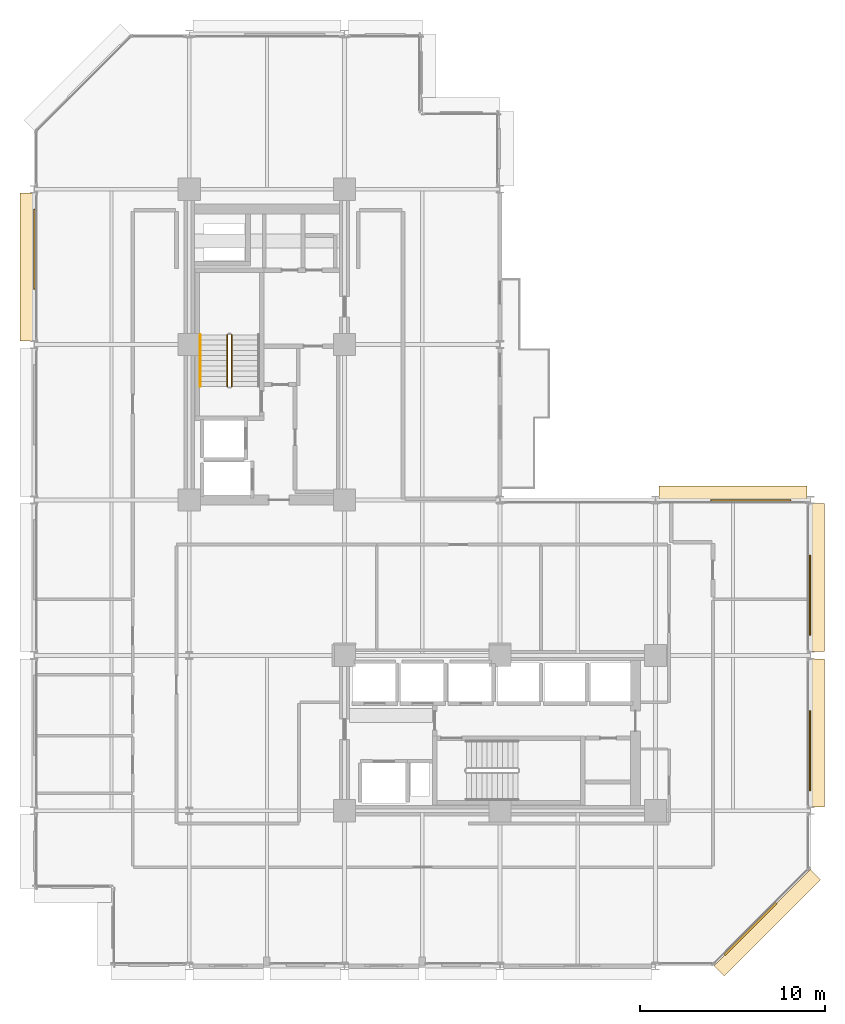
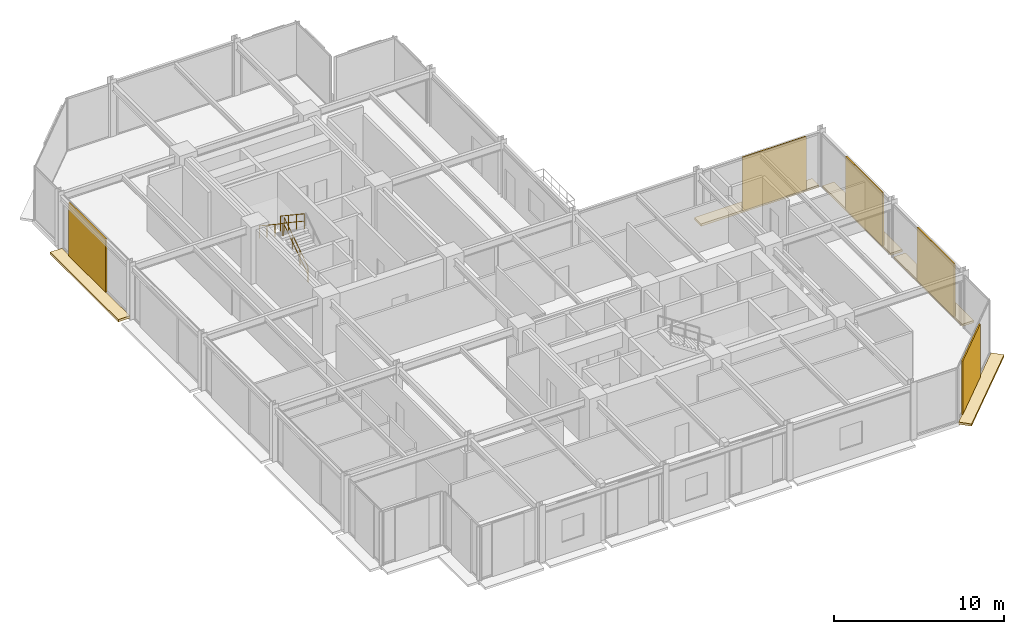
# One storey, part 29 of 30: 10 coverings, 3 railings.
"""IFC4 building model written with IfcOpenShell, lengths in metres."""

from ifc_helpers import new_model, si_unit, direction, frame, origin, origin_2d, place, context, subcontext, project, spatial, polyline, rectangle, circle, outline, extrude, material, layer, layer_set, type_object, element, save


model = new_model("IFC4")

# Units and contexts
model_context = context("Model", 3, precision=1e-05, world=origin(), true_north=direction((0.0, 1.0)))
body_context = subcontext(model_context, "Body", "Model", "MODEL_VIEW")
ifc_project = project(units=[si_unit("LENGTHUNIT", "METRE"), si_unit("AREAUNIT", "SQUARE_METRE"), si_unit("VOLUMEUNIT", "CUBIC_METRE"), si_unit("PLANEANGLEUNIT", "RADIAN"), si_unit("MASSUNIT", "GRAM", prefix="KILO")], contexts=[model_context])

# Site, building, storey
site_placement = place(None, origin())
site = spatial("IfcSite", under=ifc_project, at=site_placement, CompositionType="ELEMENT")
building_placement = place(site_placement, origin())
building = spatial("IfcBuilding", under=site, at=building_placement, Name="Nerrivon Quay Data Exchange", CompositionType="ELEMENT")
storey_placement = place(building_placement, frame((0.0, 0.0, 141.800048828125)))
storey = spatial("IfcBuildingStorey", under=building, at=storey_placement, Name="L33", CompositionType="ELEMENT", Elevation=141.800048828125)

# Coverings
ifc_material_1 = material(Name="Architectural terracotta ceramic", Category="masonry")
ifc_layer_1 = layer(ifc_material_1, 0.159912109375)
ifc_layer_set_1 = layer_set([ifc_layer_1], Name="Architectural terracotta ceramic")
covering_type_1 = type_object("IfcCoveringType", Name="COV-BLD-TERR", PredefinedType="CLADDING", material=ifc_layer_set_1)
covering_1_placement = place(storey_placement, frame((0.0, 0.0, -0.16015625)))
element("IfcCovering", 1, at=covering_1_placement, inside=storey, type_object=covering_type_1, Name="L33 Horizontal Terracotta SOLAR SCREEN Blade", PredefinedType="CLADDING", context=body_context, shape_type="SweptSolid", body=[
    extrude(outline(polyline([(41.9716796875, 5.228271484375), (36.771728515625, 0.0283203125), (37.330322265625, -0.5302734375), (42.5302734375, 4.669677734375), (41.9716796875, 5.228271484375)])), origin(), (0.0, 0.0, 1.0), 0.16015625),
])
covering_2_placement = place(storey_placement, frame((0.0, 0.0, -0.16015625)))
element("IfcCovering", 2, at=covering_2_placement, inside=storey, type_object=covering_type_1, Name="L33 Horizontal Terracotta SOLAR SCREEN Blade", PredefinedType="CLADDING", context=body_context, shape_type="SweptSolid", body=[
    extrude(outline(polyline([(0.0400390625, 33.800048828125), (0.0400390625, 41.800048828125), (-0.75, 41.800048828125), (-0.75, 33.800048828125), (0.0400390625, 33.800048828125)])), origin(), (0.0, 0.0, 1.0), 0.16015625),
])
covering_3_placement = place(storey_placement, frame((0.0, 0.0, -0.16015625)))
element("IfcCovering", 3, at=covering_3_placement, inside=storey, type_object=covering_type_1, Name="L33 Horizontal Terracotta SOLAR SCREEN Blade", PredefinedType="CLADDING", context=body_context, shape_type="SweptSolid", body=[
    extrude(outline(polyline([(33.800048828125, 25.159912109375), (41.800048828125, 25.159912109375), (41.800048828125, 25.949951171875), (33.800048828125, 25.949951171875), (33.800048828125, 25.159912109375)])), origin(), (0.0, 0.0, 1.0), 0.16015625),
])
covering_4_placement = place(storey_placement, frame((0.0, 0.0, -0.16015625)))
element("IfcCovering", 4, at=covering_4_placement, inside=storey, type_object=covering_type_1, Name="L33 Horizontal Terracotta SOLAR SCREEN Blade", PredefinedType="CLADDING", context=body_context, shape_type="SweptSolid", body=[
    extrude(outline(polyline([(41.9599609375, 25.0), (41.9599609375, 17.0), (42.75, 17.0), (42.75, 25.0), (41.9599609375, 25.0)])), origin(), (0.0, 0.0, 1.0), 0.16015625),
])
covering_5_placement = place(storey_placement, frame((0.0, 0.0, -0.16015625)))
element("IfcCovering", 5, at=covering_5_placement, inside=storey, type_object=covering_type_1, Name="L33 Horizontal Terracotta SOLAR SCREEN Blade", PredefinedType="CLADDING", context=body_context, shape_type="SweptSolid", body=[
    extrude(outline(polyline([(41.9599609375, 16.60009765625), (41.9599609375, 8.60009765625), (42.75, 8.60009765625), (42.75, 16.60009765625), (41.9599609375, 16.60009765625)])), origin(), (0.0, 0.0, 1.0), 0.16015625),
])
ifc_layer_2 = layer(ifc_material_1, 0.090087890625)
ifc_layer_set_2 = layer_set([ifc_layer_2], Name="Architectural terracotta ceramic")
covering_type_2 = type_object("IfcCoveringType", Name="COV-SCR-TERR", PredefinedType="CLADDING", material=ifc_layer_set_2)
covering_6_placement = place(storey_placement, frame((38.744140625, 2.0078125, 0.0), z_axis=(0.0, 0.0, 1.0), x_axis=(-0.707106781187, -0.707106781187, 0.0)))
element("IfcCovering", 6, at=covering_6_placement, inside=storey, type_object=covering_type_2, Name="L33 Perforated Terracotta SOLAR SCREEN Cassette", PredefinedType="CLADDING", context=body_context, shape_type="SweptSolid", body=[
    extrude(rectangle(XDim=3.970947265625, YDim=0.090087890625, at=origin_2d()), origin(), (0.0, 0.0, 1.0), 3.824951171875),
])
for number, where, z_axis, x_axis, name in (
    (7, (0.044921875, 38.760009765625, 0.0), (0.0, 0.0, 1.0), (0.0, 1.0, 0.0), "L33 Perforated Terracotta SOLAR SCREEN Cassette"),
    (8, (38.760009765625, 25.155029296875, 0.0), (0.0, 0.0, 1.0), (1.0, 0.0, 0.0), "L33 Perforated Terracotta SOLAR SCREEN Cassette"),
    (9, (41.955078125, 20.0400390625, 0.0), (0.0, 0.0, 1.0), (0.0, -1.0, 0.0), "L33 Perforated Terracotta SOLAR SCREEN Cassette"),
    (10, (41.955078125, 11.639892578125, 0.0), (0.0, 0.0, 1.0), (0.0, -1.0, 0.0), "L33 Perforated Terracotta SOLAR SCREEN Cassette"),
):
    element("IfcCovering", number, at=place(storey_placement, frame(where, z_axis=z_axis, x_axis=x_axis)), inside=storey, type_object=covering_type_2, Name=name, PredefinedType="CLADDING", context=body_context, shape_type="SweptSolid", body=[
        extrude(rectangle(XDim=4.320068359375, YDim=0.090087890625, at=origin_2d()), origin(), (0.0, 0.0, 1.0), 3.824951171875),
    ])

# Railings
ifc_material_2 = material(Name="Steel Grade C350L0 (350 MPa)", Category="steel")
railing_type_1 = type_object("IfcRailingType", Name="RAIL-HAND-HR1", PredefinedType="HANDRAIL", material=ifc_material_2)
railing_1_placement = place(storey_placement, frame((9.0, 34.1298828125, 2.236328125)))
element("IfcRailing", 11, at=railing_1_placement, inside=storey, type_object=railing_type_1, Name="L33 ST01 stair handrail 2", PredefinedType="HANDRAIL", context=body_context, shape_type="SweptSolid", body=[
    extrude(circle(Radius=0.02392578125, at=origin_2d()), frame((0.0, 0.0, 0.8759765625), z_axis=(0.0, -0.832463268671, 0.554080234545), x_axis=(1.0, 0.0, 0.0)), (0.0, 0.0, 1.0), 3.36328125),
    extrude(circle(Radius=0.02099609375, at=origin_2d()), origin(), (0.0, 0.0, 1.0), 0.851806640625),
    extrude(circle(Radius=0.02099609375, at=origin_2d()), frame((0.0, -0.933349609375, 0.62109375)), (0.0, 0.0, 1.0), 0.851806640625),
    extrude(circle(Radius=0.02099609375, at=origin_2d()), frame((0.0, -1.866455078125, 1.242431640625)), (0.0, 0.0, 1.0), 0.851806640625),
    extrude(circle(Radius=0.02099609375, at=origin_2d()), frame((0.0, -2.7998046875, 1.863525390625)), (0.0, 0.0, 1.0), 0.851806640625),
])
railing_type_2 = type_object("IfcRailingType", Name="RAIL-STAIR-GR1", PredefinedType="BALUSTRADE", material=ifc_material_2)
railing_2_placement = place(storey_placement, frame((10.699951171875, 31.330078125, 0.186279296875)))
element("IfcRailing", 12, at=railing_2_placement, inside=storey, type_object=railing_type_2, Name="L33 ST01 stair guard 1", PredefinedType="BALUSTRADE", context=body_context, shape_type="SweptSolid", body=[
    extrude(circle(Radius=0.02392578125, at=origin_2d()), frame((0.0, 0.0, 1.076171875), z_axis=(0.0, 0.832429786209, 0.554130536094), x_axis=(-1.0, 0.0, 0.0)), (0.0, 0.0, 1.0), 3.363525390625),
    extrude(circle(Radius=0.02392578125, at=origin_2d()), frame((0.0, 0.0, 0.550048828125), z_axis=(0.0, 0.832429786209, 0.554130536094), x_axis=(-1.0, 0.0, 0.0)), (0.0, 0.0, 1.0), 3.363525390625),
    extrude(circle(Radius=0.02099609375, at=origin_2d()), origin(), (0.0, 0.0, 1.0), 1.052001953125),
    extrude(circle(Radius=0.02099609375, at=origin_2d()), frame((0.0, 0.933349609375, 0.621337890625)), (0.0, 0.0, 1.0), 1.052001953125),
    extrude(circle(Radius=0.02099609375, at=origin_2d()), frame((0.0, 1.866455078125, 1.242431640625)), (0.0, 0.0, 1.0), 1.052001953125),
    extrude(circle(Radius=0.02099609375, at=origin_2d()), frame((0.0, 2.7998046875, 1.86376953125)), (0.0, 0.0, 1.0), 1.052001953125),
])
railing_3_placement = place(storey_placement, frame((10.449951171875, 34.1298828125, 2.236328125)))
element("IfcRailing", 13, at=railing_3_placement, inside=storey, type_object=railing_type_2, Name="L33 ST01 stair guard 3", PredefinedType="BALUSTRADE", context=body_context, shape_type="SweptSolid", body=[
    extrude(circle(Radius=0.02392578125, at=origin_2d()), frame((0.0, 0.0, 1.076171875), z_axis=(0.0, -0.832463268671, 0.554080234545), x_axis=(1.0, 0.0, 0.0)), (0.0, 0.0, 1.0), 3.36328125),
    extrude(circle(Radius=0.02392578125, at=origin_2d()), frame((0.0, 0.0, 0.550048828125), z_axis=(0.0, -0.832463268671, 0.554080234545), x_axis=(1.0, 0.0, 0.0)), (0.0, 0.0, 1.0), 3.36328125),
    extrude(circle(Radius=0.02099609375, at=origin_2d()), origin(), (0.0, 0.0, 1.0), 1.052001953125),
    extrude(circle(Radius=0.02099609375, at=origin_2d()), frame((0.0, -0.933349609375, 0.62109375)), (0.0, 0.0, 1.0), 1.052001953125),
    extrude(circle(Radius=0.02099609375, at=origin_2d()), frame((0.0, -1.866455078125, 1.242431640625)), (0.0, 0.0, 1.0), 1.052001953125),
    extrude(circle(Radius=0.02099609375, at=origin_2d()), frame((0.0, -2.7998046875, 1.863525390625)), (0.0, 0.0, 1.0), 1.052001953125),
])

save(model, "model.ifc")
